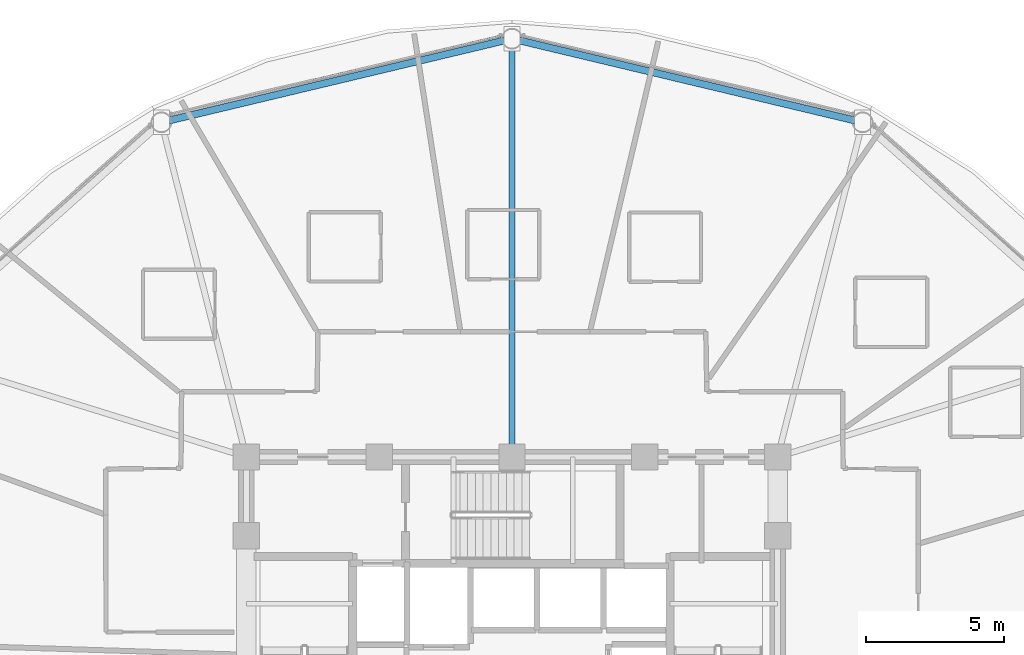
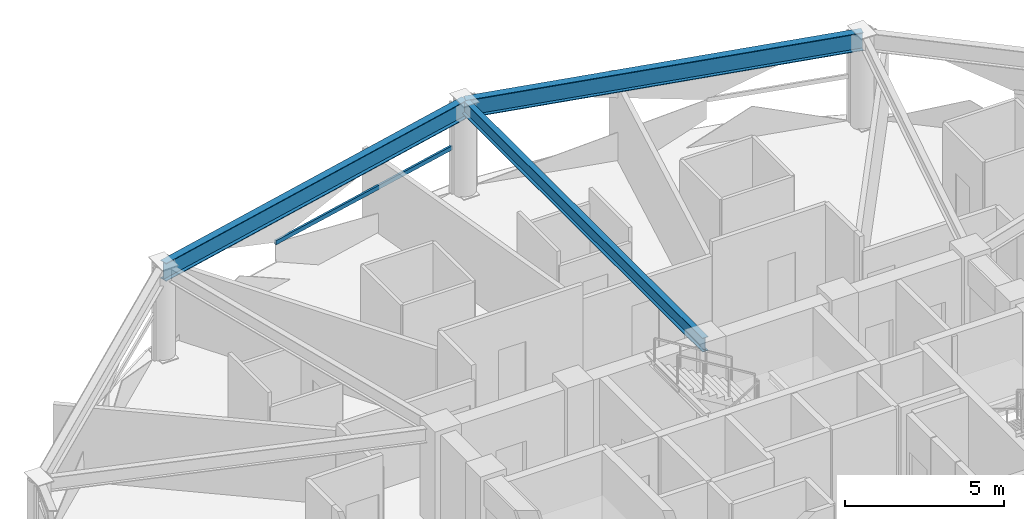
# One storey, part 17 of 31: 3 beams, 1 member, 1 element without a shape of its own.
"""IFC4 building model written with IfcOpenShell, lengths in metres."""

from ifc_helpers import new_model, si_unit, direction, frame, origin, origin_2d, place, context, subcontext, project, spatial, hollow_rectangle, i_section, extrude, material, layer, layer_set, material_profile, profile_set, type_object, element, aggregate, save


model = new_model("IFC4")

# Units and contexts
model_context = context("Model", 3, precision=1e-05, world=origin(), true_north=direction((0.0, 1.0)))
body_context = subcontext(model_context, "Body", "Model", "MODEL_VIEW")
ifc_project = project(units=[si_unit("LENGTHUNIT", "METRE"), si_unit("AREAUNIT", "SQUARE_METRE"), si_unit("VOLUMEUNIT", "CUBIC_METRE"), si_unit("PLANEANGLEUNIT", "RADIAN"), si_unit("MASSUNIT", "GRAM", prefix="KILO")], contexts=[model_context])

# Site, building, storey
site_placement = place(None, origin())
site = spatial("IfcSite", under=ifc_project, at=site_placement, CompositionType="ELEMENT")
building_placement = place(site_placement, origin())
building = spatial("IfcBuilding", under=site, at=building_placement, Name="Vantalir Tower", CompositionType="ELEMENT")
storey_placement = place(building_placement, frame((0.0, 0.0, 115.949951171875)))
storey = spatial("IfcBuildingStorey", under=building, at=storey_placement, Name="L28", CompositionType="ELEMENT", Elevation=115.949951171875)

# Beams
ifc_material_1 = material(Name="Steel S355", Category="steel")
ifc_material_profile_1 = material_profile(ifc_material_1, i_section(OverallWidth=0.2109375, OverallDepth=0.5390625, WebThickness=0.01171875, FlangeThickness=0.018798828125, at=origin_2d()), Name="Steel S355")
ifc_profile_set_1 = profile_set([ifc_material_profile_1], Name="Steel S355")
beam_type_1 = type_object("IfcBeamType", Name="BM-RB-533x210", PredefinedType="BEAM", material=ifc_profile_set_1)
beam_placement = place(storey_placement, frame((31.5, 47.56591796875, 3.300048828125), z_axis=(0.0, -1.0, 0.0), x_axis=(1.0, 0.0, 0.0)))
element("IfcBeam", 1, at=beam_placement, inside=storey, type_object=beam_type_1, Name="L28 Radial Floor Beam 04", PredefinedType="BEAM", context=body_context, shape_type="SweptSolid", body=[
    extrude(i_section(OverallWidth=0.2109375, OverallDepth=0.5390625, WebThickness=0.01171875, FlangeThickness=0.018798828125, at=origin_2d()), origin(), (0.0, 0.0, 1.0), 15.115966796875),
])
ifc_material_2 = material(Name="Steel S460", Category="steel")
ifc_material_profile_2 = material_profile(ifc_material_2, i_section(OverallWidth=0.256103515625, OverallDepth=0.693115234375, WebThickness=0.014404296875, FlangeThickness=0.023681640625, at=origin_2d()), Name="Steel S460")
ifc_profile_set_2 = profile_set([ifc_material_profile_2], Name="Steel S460")
beam_type_2 = type_object("IfcBeamType", Name="BM-RG-686x254", PredefinedType="USERDEFINED", material=ifc_profile_set_2)
for number, where, z_axis, x_axis, name in (
    (2, (44.169921875, 44.54296875, 3.22314453125), (-0.972697106811, 0.232078302307, 0.0), (-0.232078302307, -0.972697106811, 0.0), "L28 Circumferential Ring Girder 03"),
    (3, (31.5, 47.56591796875, 3.22314453125), (-0.972697106811, -0.232078302307, 0.0), (0.232078302307, -0.972697106811, 0.0), "L28 Circumferential Ring Girder 04"),
):
    element("IfcBeam", number, at=place(storey_placement, frame(where, z_axis=z_axis, x_axis=x_axis)), inside=storey, type_object=beam_type_2, Name=name, ObjectType="GIRDER", PredefinedType="USERDEFINED", context=body_context, shape_type="SweptSolid", body=[
        extrude(i_section(OverallWidth=0.256103515625, OverallDepth=0.693115234375, WebThickness=0.014404296875, FlangeThickness=0.023681640625, at=origin_2d()), origin(), (0.0, 0.0, 1.0), 13.025634765625),
    ])

# Curtain wall, member
ifc_material_3 = material(Name="Champagne-silver PVDF aluminium and double-silver Low-E glass", Category="aluminium")
ifc_layer = layer(ifc_material_3, 0.199951171875)
ifc_layer_set = layer_set([ifc_layer], Name="Champagne-silver PVDF aluminium and double-silver Low-E glass")
curtain_wall_type = type_object("IfcCurtainWallType", Name="CW-DIAMOND-Z2", PredefinedType="USERDEFINED", material=ifc_layer_set)
curtain_wall_placement = place(storey_placement, origin())
curtain_wall = element("IfcCurtainWall", 4, at=curtain_wall_placement, inside=storey, type_object=curtain_wall_type, Name="L28 Quilted Pyramid-Diamond Curtain Wall S04", ObjectType="UNITISED CURTAIN WALL", PredefinedType="USERDEFINED")
ifc_material_4 = material(Name="Champagne-silver PVDF aluminium 6063-T6", Category="aluminium")
ifc_material_profile_3 = material_profile(ifc_material_4, hollow_rectangle(XDim=0.074951171875, YDim=0.159912109375, WallThickness=0.00390625, at=origin_2d()), Name="Champagne-silver PVDF aluminium 6063-T6")
ifc_profile_set_3 = profile_set([ifc_material_profile_3], Name="Champagne-silver PVDF aluminium 6063-T6")
member_type = type_object("IfcMemberType", Name="CWT-160x75", PredefinedType="USERDEFINED", material=ifc_profile_set_3)
member_placement = place(storey_placement, frame((31.072021484375, 47.654052734375, 1.78515625), z_axis=(-0.973368661437, -0.229245390208, 0.0), x_axis=(0.229245390208, -0.973368661437, 0.0)))
member = element("IfcMember", 5, at=member_placement, type_object=member_type, Name="CW-L28-S04 Pyramid Fold Ridge Transom", ObjectType="TRANSOM", PredefinedType="USERDEFINED", context=body_context, shape_type="SweptSolid", body=[
    extrude(hollow_rectangle(XDim=0.074951171875, YDim=0.159912109375, WallThickness=0.00390625, at=origin_2d()), origin(), (0.0, 0.0, 1.0), 7.59423828125),
])
aggregate(curtain_wall, [member])

save(model, "model.ifc")
